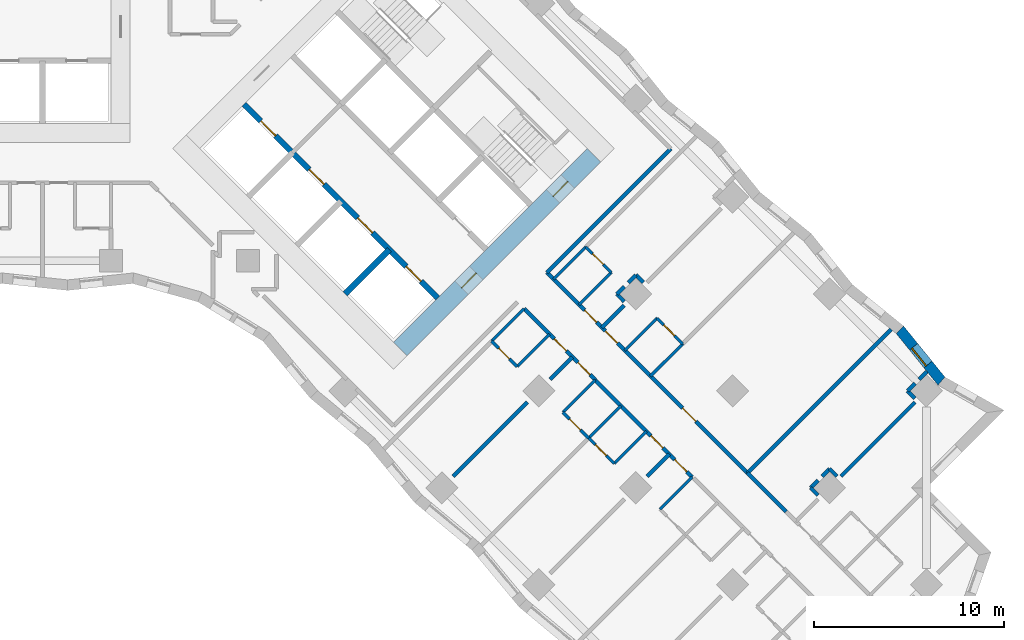
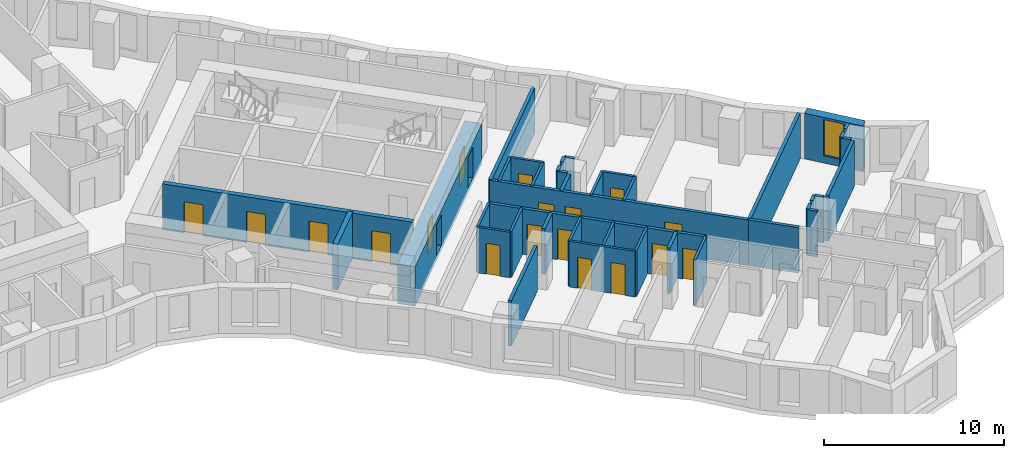
# One storey, part 9 of 13: 41 walls, 18 doors, 1 window, 19 openings.
"""IFC4 building model written with IfcOpenShell, lengths in metres."""

from ifc_helpers import new_model, si_unit, direction, frame, frame_2d, origin, place, context, subcontext, project, spatial, polyline, rectangle, outline, extrude, material, layer, layer_set, type_object, element, fill, save


model = new_model("IFC4")

# Units and contexts
model_context = context("Model", 3, precision=1e-05, world=origin(), true_north=direction((0.0, 1.0)))
body_context = subcontext(model_context, "Body", "Model", "MODEL_VIEW")
ifc_project = project(units=[si_unit("LENGTHUNIT", "METRE"), si_unit("AREAUNIT", "SQUARE_METRE"), si_unit("VOLUMEUNIT", "CUBIC_METRE"), si_unit("PLANEANGLEUNIT", "RADIAN"), si_unit("MASSUNIT", "GRAM", prefix="KILO")], contexts=[model_context])

# Site, building, storey
site_placement = place(None, origin())
site = spatial("IfcSite", under=ifc_project, at=site_placement, CompositionType="ELEMENT")
building_placement = place(site_placement, origin())
building = spatial("IfcBuilding", under=site, at=building_placement, Name="Windrow Commons", CompositionType="ELEMENT")
storey_placement = place(building_placement, frame((0.0, 0.0, 33.8)))
storey = spatial("IfcBuildingStorey", under=building, at=storey_placement, Name="L08", CompositionType="ELEMENT", Elevation=33.8)

# Wall, opening, window
ifc_material_1 = material(Name="Brick masonry, red clay brick", Category="masonry")
ifc_layer_1 = layer(ifc_material_1, 0.55)
ifc_layer_set_1 = layer_set([ifc_layer_1], Name="Brick facade wall 550")
wall_type_1 = type_object("IfcWallType", Name="Brick facade wall 550", PredefinedType="SOLIDWALL", material=ifc_layer_set_1)
wall_1_placement = place(storey_placement, frame((115.6256, 36.8769, 0.0), z_axis=(0.0, 0.0, 1.0), x_axis=(-0.6292379801, 0.7772126893, 0.0)))
wall_1 = element("IfcWall", 1, at=wall_1_placement, inside=storey, type_object=wall_type_1, Name="Brick facade wall L08 8", PredefinedType="SOLIDWALL", context=body_context, shape_type="SweptSolid", body=[
    extrude(outline(polyline([(0.0526, -0.275), (3.5025, -0.275), (3.4446, 0.275), (-0.0526, 0.275), (0.0526, -0.275)])), origin(), (0.0, 0.0, 1.0), 3.1),
])
opening_1_placement = place(wall_1_placement, frame((1.1223, 0.0, 0.5)))
opening_1 = element("IfcOpeningElement", 2, at=opening_1_placement, cuts=wall_1, Name="Opening W7D", PredefinedType="OPENING", context=body_context, shape_type="SweptSolid", body=[
    extrude(rectangle(XDim=1.2, YDim=2.45, at=frame_2d((0.6, 1.225))), frame((0.0, 0.285, 0.0), z_axis=(0.0, -1.0, 0.0), x_axis=(1.0, 0.0, 0.0)), (0.0, 0.0, 1.0), 0.57),
])
ifc_material_2 = material(Name="Clear float glass in anodised aluminium frame", Category="aluminium")
window_type = type_object("IfcWindowType", Name="Window W7 notch 1200x2450", PartitioningType="SINGLE_PANEL", PredefinedType="WINDOW", material=ifc_material_2)
window_placement = place(opening_1_placement, origin())
window = element("IfcWindow", 3, at=window_placement, inside=storey, type_object=window_type, Name="Window L08 8.1", OverallHeight=2.45, OverallWidth=1.2, PartitioningType="SINGLE_PANEL", PredefinedType="WINDOW", context=body_context, shape_type="SweptSolid", body=[
    extrude(rectangle(XDim=1.2, YDim=2.45, at=frame_2d((0.6, 1.225))), frame((0.0, 0.155, 0.0), z_axis=(0.0, -1.0, 0.0), x_axis=(1.0, 0.0, 0.0)), (0.0, 0.0, 1.0), 0.06),
])
fill(opening_1, window)

# Wall, openings, doors
ifc_material_3 = material(Name="Blockwork partition", Category="masonry")
ifc_layer_2 = layer(ifc_material_3, 0.2)
ifc_layer_set_2 = layer_set([ifc_layer_2], Name="IW-CORRIDOR-200")
wall_type_2 = type_object("IfcWallType", Name="IW-CORRIDOR-200", PredefinedType="PARTITIONING", material=ifc_layer_set_2)
wall_2_placement = place(storey_placement, frame((94.8949, 42.5809, 0.0), z_axis=(0.0, 0.0, 1.0), x_axis=(0.7071067812, -0.7071067812, 0.0)))
wall_2 = element("IfcWall", 4, at=wall_2_placement, inside=storey, type_object=wall_type_2, Name="W-L08-W004", PredefinedType="PARTITIONING", context=body_context, shape_type="SweptSolid", body=[
    extrude(rectangle(XDim=14.9002, YDim=0.2, at=frame_2d((7.4501, 0.0))), origin(), (0.0, 0.0, 1.0), 3.1),
])
opening_2_placement = place(wall_2_placement, frame((2.7996, 0.0, 0.0)))
opening_2 = element("IfcOpeningElement", 5, at=opening_2_placement, cuts=wall_2, Name="Opening D109S", PredefinedType="OPENING", context=body_context, shape_type="SweptSolid", body=[
    extrude(rectangle(XDim=0.9, YDim=2.1, at=frame_2d((0.45, 1.05))), frame((0.0, 0.11, 0.0), z_axis=(0.0, -1.0, 0.0), x_axis=(1.0, 0.0, 0.0)), (0.0, 0.0, 1.0), 0.22),
])
opening_3_placement = place(wall_2_placement, frame((4.3479, 0.0, 0.0)))
opening_3 = element("IfcOpeningElement", 6, at=opening_3_placement, cuts=wall_2, Name="Opening D109S", PredefinedType="OPENING", context=body_context, shape_type="SweptSolid", body=[
    extrude(rectangle(XDim=0.9, YDim=2.1, at=frame_2d((0.45, 1.05))), frame((0.0, 0.11, 0.0), z_axis=(0.0, -1.0, 0.0), x_axis=(1.0, 0.0, 0.0)), (0.0, 0.0, 1.0), 0.22),
])
opening_4_placement = place(wall_2_placement, frame((10.0733, 0.0, 0.0)))
opening_4 = element("IfcOpeningElement", 7, at=opening_4_placement, cuts=wall_2, Name="Opening D310F", PredefinedType="OPENING", context=body_context, shape_type="SweptSolid", body=[
    extrude(rectangle(XDim=1.0, YDim=2.1, at=frame_2d((0.5, 1.05))), frame((0.0, 0.11, 0.0), z_axis=(0.0, -1.0, 0.0), x_axis=(1.0, 0.0, 0.0)), (0.0, 0.0, 1.0), 0.22),
])
ifc_material_4 = material(Name="Timber door leaf", Category="wood")
door_type_1 = type_object("IfcDoorType", Name="DT-AMENITY-1000", OperationType="SINGLE_SWING_LEFT", PredefinedType="DOOR", material=ifc_material_4)
door_1_placement = place(opening_4_placement, origin())
door_1 = element("IfcDoor", 8, at=door_1_placement, inside=storey, type_object=door_type_1, Name="D-L08-D054", OperationType="SINGLE_SWING_RIGHT", OverallHeight=2.1, OverallWidth=1.0, PredefinedType="DOOR", context=body_context, shape_type="SweptSolid", body=[
    extrude(rectangle(XDim=1.0, YDim=2.1, at=frame_2d((0.5, 1.05))), frame((0.0, 0.025, 0.0), z_axis=(0.0, -1.0, 0.0), x_axis=(1.0, 0.0, 0.0)), (0.0, 0.0, 1.0), 0.05),
])
fill(opening_4, door_1)
ifc_material_5 = material(Name="Timber door leaf", Category="wood")
door_type_2 = type_object("IfcDoorType", Name="DT-BEDROOM-900", OperationType="SINGLE_SWING_LEFT", PredefinedType="DOOR", material=ifc_material_5)
door_2_placement = place(opening_2_placement, origin())
door_2 = element("IfcDoor", 9, at=door_2_placement, inside=storey, type_object=door_type_2, Name="D-L08-D050", OperationType="SINGLE_SWING_RIGHT", OverallHeight=2.1, OverallWidth=0.9, PredefinedType="DOOR", context=body_context, shape_type="SweptSolid", body=[
    extrude(rectangle(XDim=0.9, YDim=2.1, at=frame_2d((0.45, 1.05))), frame((0.0, 0.025, 0.0), z_axis=(0.0, -1.0, 0.0), x_axis=(1.0, 0.0, 0.0)), (0.0, 0.0, 1.0), 0.05),
])
fill(opening_2, door_2)
door_3_placement = place(opening_3_placement, origin())
door_3 = element("IfcDoor", 10, at=door_3_placement, inside=storey, type_object=door_type_2, Name="D-L08-D052", OperationType="SINGLE_SWING_LEFT", OverallHeight=2.1, OverallWidth=0.9, PredefinedType="DOOR", context=body_context, shape_type="SweptSolid", body=[
    extrude(rectangle(XDim=0.9, YDim=2.1, at=frame_2d((0.45, 1.05))), frame((0.0, 0.025, 0.0), z_axis=(0.0, -1.0, 0.0), x_axis=(1.0, 0.0, 0.0)), (0.0, 0.0, 1.0), 0.05),
])
fill(opening_3, door_3)

# Wall
wall_3_placement = place(storey_placement, frame((94.9014, 42.5826, 0.0), z_axis=(0.0, 0.0, 1.0), x_axis=(0.7072154749, 0.7069980708, 0.0)))
element("IfcWall", 11, at=wall_3_placement, inside=storey, type_object=wall_type_2, Name="W-L08-W010", PredefinedType="PARTITIONING", context=body_context, shape_type="SweptSolid", body=[
    extrude(rectangle(XDim=9.1995, YDim=0.2, at=frame_2d((4.5998, 0.0))), origin(), (0.0, 0.0, 1.0), 3.1),
])

# Wall, openings, doors
wall_4_placement = place(storey_placement, frame((102.5312, 31.8332, 0.0), z_axis=(0.0, 0.0, 1.0), x_axis=(-0.7070095491, 0.7072039999, 0.0)))
wall_4 = element("IfcWall", 12, at=wall_4_placement, inside=storey, type_object=wall_type_2, Name="W-L08-W023", PredefinedType="PARTITIONING", context=body_context, shape_type="SweptSolid", body=[
    extrude(rectangle(XDim=7.1998, YDim=0.2, at=frame_2d((3.5999, 0.0))), origin(), (0.0, 0.0, 1.0), 3.1),
])
opening_5_placement = place(wall_4_placement, frame((2.1649, 0.0, 0.0)))
opening_5 = element("IfcOpeningElement", 13, at=opening_5_placement, cuts=wall_4, Name="Opening D109S", PredefinedType="OPENING", context=body_context, shape_type="SweptSolid", body=[
    extrude(rectangle(XDim=0.9, YDim=2.1, at=frame_2d((0.45, 1.05))), frame((0.0, 0.11, 0.0), z_axis=(0.0, -1.0, 0.0), x_axis=(1.0, 0.0, 0.0)), (0.0, 0.0, 1.0), 0.22),
])
opening_6_placement = place(wall_4_placement, frame((0.3999, 0.0, 0.0)))
opening_6 = element("IfcOpeningElement", 14, at=opening_6_placement, cuts=wall_4, Name="Opening D109S", PredefinedType="OPENING", context=body_context, shape_type="SweptSolid", body=[
    extrude(rectangle(XDim=0.9, YDim=2.1, at=frame_2d((0.45, 1.05))), frame((0.0, 0.11, 0.0), z_axis=(0.0, -1.0, 0.0), x_axis=(1.0, 0.0, 0.0)), (0.0, 0.0, 1.0), 0.22),
])
door_4_placement = place(opening_5_placement, origin())
door_4 = element("IfcDoor", 15, at=door_4_placement, inside=storey, type_object=door_type_2, Name="D-L08-D061", OperationType="SINGLE_SWING_LEFT", OverallHeight=2.1, OverallWidth=0.9, PredefinedType="DOOR", context=body_context, shape_type="SweptSolid", body=[
    extrude(rectangle(XDim=0.9, YDim=2.1, at=frame_2d((0.45, 1.05))), frame((0.0, 0.025, 0.0), z_axis=(0.0, -1.0, 0.0), x_axis=(1.0, 0.0, 0.0)), (0.0, 0.0, 1.0), 0.05),
])
fill(opening_5, door_4)
door_5_placement = place(opening_6_placement, origin())
door_5 = element("IfcDoor", 16, at=door_5_placement, inside=storey, type_object=door_type_2, Name="D-L08-D063", OperationType="SINGLE_SWING_RIGHT", OverallHeight=2.1, OverallWidth=0.9, PredefinedType="DOOR", context=body_context, shape_type="SweptSolid", body=[
    extrude(rectangle(XDim=0.9, YDim=2.1, at=frame_2d((0.45, 1.05))), frame((0.0, 0.025, 0.0), z_axis=(0.0, -1.0, 0.0), x_axis=(1.0, 0.0, 0.0)), (0.0, 0.0, 1.0), 0.05),
])
fill(opening_6, door_5)

wall_5_placement = place(storey_placement, frame((93.6993, 40.6793, 0.0), z_axis=(0.0, 0.0, 1.0), x_axis=(0.7071067812, -0.7071067812, 0.0)))
wall_5 = element("IfcWall", 17, at=wall_5_placement, inside=storey, type_object=wall_type_2, Name="W-L08-W047", PredefinedType="PARTITIONING", context=body_context, shape_type="SweptSolid", body=[
    extrude(rectangle(XDim=5.3005, YDim=0.2, at=frame_2d((2.6503, 0.0))), origin(), (0.0, 0.0, 1.0), 3.1),
])
opening_7_placement = place(wall_5_placement, frame((2.2416, 0.0, 0.0)))
opening_7 = element("IfcOpeningElement", 18, at=opening_7_placement, cuts=wall_5, Name="Opening D109S", PredefinedType="OPENING", context=body_context, shape_type="SweptSolid", body=[
    extrude(rectangle(XDim=0.9, YDim=2.1, at=frame_2d((0.45, 1.05))), frame((0.0, 0.11, 0.0), z_axis=(0.0, -1.0, 0.0), x_axis=(1.0, 0.0, 0.0)), (0.0, 0.0, 1.0), 0.22),
])
opening_8_placement = place(wall_5_placement, frame((4.0017, 0.0, 0.0)))
opening_8 = element("IfcOpeningElement", 19, at=opening_8_placement, cuts=wall_5, Name="Opening D109S", PredefinedType="OPENING", context=body_context, shape_type="SweptSolid", body=[
    extrude(rectangle(XDim=0.9, YDim=2.1, at=frame_2d((0.45, 1.05))), frame((0.0, 0.11, 0.0), z_axis=(0.0, -1.0, 0.0), x_axis=(1.0, 0.0, 0.0)), (0.0, 0.0, 1.0), 0.22),
])
door_6_placement = place(opening_7_placement, origin())
door_6 = element("IfcDoor", 20, at=door_6_placement, inside=storey, type_object=door_type_2, Name="D-L08-D057", OperationType="SINGLE_SWING_LEFT", OverallHeight=2.1, OverallWidth=0.9, PredefinedType="DOOR", context=body_context, shape_type="SweptSolid", body=[
    extrude(rectangle(XDim=0.9, YDim=2.1, at=frame_2d((0.45, 1.05))), frame((0.0, 0.025, 0.0), z_axis=(0.0, -1.0, 0.0), x_axis=(1.0, 0.0, 0.0)), (0.0, 0.0, 1.0), 0.05),
])
fill(opening_7, door_6)
door_7_placement = place(opening_8_placement, origin())
door_7 = element("IfcDoor", 21, at=door_7_placement, inside=storey, type_object=door_type_2, Name="D-L08-D059", OperationType="SINGLE_SWING_RIGHT", OverallHeight=2.1, OverallWidth=0.9, PredefinedType="DOOR", context=body_context, shape_type="SweptSolid", body=[
    extrude(rectangle(XDim=0.9, YDim=2.1, at=frame_2d((0.45, 1.05))), frame((0.0, 0.025, 0.0), z_axis=(0.0, -1.0, 0.0), x_axis=(1.0, 0.0, 0.0)), (0.0, 0.0, 1.0), 0.05),
])
fill(opening_8, door_7)

# Walls
wall_6_placement = place(storey_placement, frame((105.4348, 32.0488, 0.0), z_axis=(0.0, 0.0, 1.0), x_axis=(0.7074545101, -0.7067588812, 0.0)))
element("IfcWall", 22, at=wall_6_placement, inside=storey, type_object=wall_type_2, Name="W-L08-W071", PredefinedType="PARTITIONING", context=body_context, shape_type="SweptSolid", body=[
    extrude(rectangle(XDim=2.8751, YDim=0.2, at=frame_2d((1.4376, 0.0))), origin(), (0.0, 0.0, 1.0), 3.1),
])
ifc_material_6 = material(Name="Blockwork partition", Category="masonry")
ifc_layer_3 = layer(ifc_material_6, 0.15)
ifc_layer_set_3 = layer_set([ifc_layer_3], Name="IW-ENSUITE-150")
wall_type_3 = type_object("IfcWallType", Name="IW-ENSUITE-150", PredefinedType="PARTITIONING", material=ifc_layer_set_3)
for number, where, z_axis, x_axis, name in (
    (23, (93.3409, 37.6351, 0.0), (0.0, 0.0, 1.0), (0.7071067812, 0.7071067812, 0.0), "W-L08-W078"),
    (24, (95.7451, 35.2309, 0.0), (0.0, 0.0, 1.0), (0.7071067812, 0.7071067812, 0.0), "W-L08-W079"),
    (25, (91.9974, 38.9786, 0.0), (0.0, 0.0, 1.0), (0.7071067812, 0.7071067812, 0.0), "W-L08-W082"),
):
    element("IfcWall", number, at=place(storey_placement, frame(where, z_axis=z_axis, x_axis=x_axis)), inside=storey, type_object=wall_type_3, Name=name, PredefinedType="PARTITIONING", context=body_context, shape_type="SweptSolid", body=[
        extrude(rectangle(XDim=2.4013, YDim=0.15, at=frame_2d((1.2006, 0.0))), origin(), (0.0, 0.0, 1.0), 3.1),
    ])
for number, where, z_axis, x_axis, name in (
    (26, (100.3397, 37.1423, 0.0), (0.0, 0.0, 1.0), (0.7075233388, 0.706689978, 0.0), "W-L08-W115"),
    (27, (96.592, 40.89, 0.0), (0.0, 0.0, 1.0), (0.7075233388, 0.706689978, 0.0), "W-L08-W116"),
    (28, (98.9962, 38.4858, 0.0), (0.0, 0.0, 1.0), (0.7075233388, 0.706689978, 0.0), "W-L08-W117"),
    (29, (95.2524, 42.2296, 0.0), (0.0, 0.0, 1.0), (0.706689978, 0.7075233388, 0.0), "W-L08-W120"),
    (30, (97.0924, 33.8836, 0.0), (0.0, 0.0, 1.0), (0.706689978, 0.7075233388, 0.0), "W-L08-W121"),
):
    element("IfcWall", number, at=place(storey_placement, frame(where, z_axis=z_axis, x_axis=x_axis)), inside=storey, type_object=wall_type_3, Name=name, PredefinedType="PARTITIONING", context=body_context, shape_type="SweptSolid", body=[
        extrude(rectangle(XDim=2.3999, YDim=0.15, at=frame_2d((1.2, 0.0))), origin(), (0.0, 0.0, 1.0), 3.1),
    ])
for number, where, z_axis, x_axis, name in (
    (31, (100.8373, 30.1407, 0.0), (0.0, 0.0, 1.0), (0.7071067812, 0.7071067812, 0.0), "W-L08-W123"),
    (32, (98.4331, 32.5449, 0.0), (0.0, 0.0, 1.0), (0.7071067812, 0.7071067812, 0.0), "W-L08-W125"),
):
    element("IfcWall", number, at=place(storey_placement, frame(where, z_axis=z_axis, x_axis=x_axis)), inside=storey, type_object=wall_type_3, Name=name, PredefinedType="PARTITIONING", context=body_context, shape_type="SweptSolid", body=[
        extrude(rectangle(XDim=2.3985, YDim=0.15, at=frame_2d((1.1992, 0.0))), origin(), (0.0, 0.0, 1.0), 3.1),
    ])

# Wall, opening, door
wall_7_placement = place(storey_placement, frame((96.9449, 43.9249, 0.0), z_axis=(0.0, 0.0, 1.0), x_axis=(0.7071067812, -0.7071067812, 0.0)))
wall_7 = element("IfcWall", 33, at=wall_7_placement, inside=storey, type_object=wall_type_3, Name="W-L08-W134", PredefinedType="PARTITIONING", context=body_context, shape_type="SweptSolid", body=[
    extrude(rectangle(XDim=1.9007, YDim=0.15, at=frame_2d((0.9504, 0.0))), origin(), (0.0, 0.0, 1.0), 3.1),
])
opening_9_placement = place(wall_7_placement, frame((0.5053, 0.0, 0.0)))
opening_9 = element("IfcOpeningElement", 34, at=opening_9_placement, cuts=wall_7, Name="Opening D208N", PredefinedType="OPENING", context=body_context, shape_type="SweptSolid", body=[
    extrude(rectangle(XDim=0.8, YDim=2.1, at=frame_2d((0.4, 1.05))), frame((0.0, 0.085, 0.0), z_axis=(0.0, -1.0, 0.0), x_axis=(1.0, 0.0, 0.0)), (0.0, 0.0, 1.0), 0.17),
])
ifc_material_7 = material(Name="Timber door leaf", Category="wood")
door_type_3 = type_object("IfcDoorType", Name="DT-ENSUITE-800", OperationType="SINGLE_SWING_LEFT", PredefinedType="DOOR", material=ifc_material_7)
door_8_placement = place(opening_9_placement, origin())
door_8 = element("IfcDoor", 35, at=door_8_placement, inside=storey, type_object=door_type_3, Name="D-L08-D051", OperationType="SINGLE_SWING_RIGHT", OverallHeight=2.1, OverallWidth=0.8, PredefinedType="DOOR", context=body_context, shape_type="SweptSolid", body=[
    extrude(rectangle(XDim=0.8, YDim=2.1, at=frame_2d((0.4, 1.05))), frame((0.0, 0.025, 0.0), z_axis=(0.0, -1.0, 0.0), x_axis=(1.0, 0.0, 0.0)), (0.0, 0.0, 1.0), 0.05),
])
fill(opening_9, door_8)

wall_8_placement = place(storey_placement, frame((100.6929, 40.1769, 0.0), z_axis=(0.0, 0.0, 1.0), x_axis=(0.7071067812, -0.7071067812, 0.0)))
wall_8 = element("IfcWall", 36, at=wall_8_placement, inside=storey, type_object=wall_type_3, Name="W-L08-W135", PredefinedType="PARTITIONING", context=body_context, shape_type="SweptSolid", body=[
    extrude(rectangle(XDim=1.9007, YDim=0.15, at=frame_2d((0.9504, 0.0))), origin(), (0.0, 0.0, 1.0), 3.1),
])
opening_10_placement = place(wall_8_placement, frame((0.493, 0.0, 0.0)))
opening_10 = element("IfcOpeningElement", 37, at=opening_10_placement, cuts=wall_8, Name="Opening D208N", PredefinedType="OPENING", context=body_context, shape_type="SweptSolid", body=[
    extrude(rectangle(XDim=0.8, YDim=2.1, at=frame_2d((0.4, 1.05))), frame((0.0, 0.085, 0.0), z_axis=(0.0, -1.0, 0.0), x_axis=(1.0, 0.0, 0.0)), (0.0, 0.0, 1.0), 0.17),
])
door_9_placement = place(opening_10_placement, origin())
door_9 = element("IfcDoor", 38, at=door_9_placement, inside=storey, type_object=door_type_3, Name="D-L08-D053", OperationType="SINGLE_SWING_RIGHT", OverallHeight=2.1, OverallWidth=0.8, PredefinedType="DOOR", context=body_context, shape_type="SweptSolid", body=[
    extrude(rectangle(XDim=0.8, YDim=2.1, at=frame_2d((0.4, 1.05))), frame((0.0, 0.025, 0.0), z_axis=(0.0, -1.0, 0.0), x_axis=(1.0, 0.0, 0.0)), (0.0, 0.0, 1.0), 0.05),
])
fill(opening_10, door_9)

wall_9_placement = place(storey_placement, frame((95.7432, 35.2272, 0.0), z_axis=(0.0, 0.0, 1.0), x_axis=(0.7071067812, -0.7071067812, 0.0)))
wall_9 = element("IfcWall", 39, at=wall_9_placement, inside=storey, type_object=wall_type_3, Name="W-L08-W137", PredefinedType="PARTITIONING", context=body_context, shape_type="SweptSolid", body=[
    extrude(rectangle(XDim=1.9007, YDim=0.15, at=frame_2d((0.9504, 0.0))), origin(), (0.0, 0.0, 1.0), 3.1),
])
opening_11_placement = place(wall_9_placement, frame((0.4911, 0.0, 0.0)))
opening_11 = element("IfcOpeningElement", 40, at=opening_11_placement, cuts=wall_9, Name="Opening D208N", PredefinedType="OPENING", context=body_context, shape_type="SweptSolid", body=[
    extrude(rectangle(XDim=0.8, YDim=2.1, at=frame_2d((0.4, 1.05))), frame((0.0, 0.085, 0.0), z_axis=(0.0, -1.0, 0.0), x_axis=(1.0, 0.0, 0.0)), (0.0, 0.0, 1.0), 0.17),
])
door_10_placement = place(opening_11_placement, origin())
door_10 = element("IfcDoor", 41, at=door_10_placement, inside=storey, type_object=door_type_3, Name="D-L08-D060", OperationType="SINGLE_SWING_RIGHT", OverallHeight=2.1, OverallWidth=0.8, PredefinedType="DOOR", context=body_context, shape_type="SweptSolid", body=[
    extrude(rectangle(XDim=0.8, YDim=2.1, at=frame_2d((0.4, 1.05))), frame((0.0, 0.025, 0.0), z_axis=(0.0, -1.0, 0.0), x_axis=(1.0, 0.0, 0.0)), (0.0, 0.0, 1.0), 0.05),
])
fill(opening_11, door_10)

wall_10_placement = place(storey_placement, frame((91.9952, 38.9752, 0.0), z_axis=(0.0, 0.0, 1.0), x_axis=(0.7071067812, -0.7071067812, 0.0)))
wall_10 = element("IfcWall", 42, at=wall_10_placement, inside=storey, type_object=wall_type_3, Name="W-L08-W138", PredefinedType="PARTITIONING", context=body_context, shape_type="SweptSolid", body=[
    extrude(rectangle(XDim=1.9007, YDim=0.15, at=frame_2d((0.9504, 0.0))), origin(), (0.0, 0.0, 1.0), 3.1),
])
opening_12_placement = place(wall_10_placement, frame((0.5226, 0.0, 0.0)))
opening_12 = element("IfcOpeningElement", 43, at=opening_12_placement, cuts=wall_10, Name="Opening D208N", PredefinedType="OPENING", context=body_context, shape_type="SweptSolid", body=[
    extrude(rectangle(XDim=0.8, YDim=2.1, at=frame_2d((0.4, 1.05))), frame((0.0, 0.085, 0.0), z_axis=(0.0, -1.0, 0.0), x_axis=(1.0, 0.0, 0.0)), (0.0, 0.0, 1.0), 0.17),
])
door_11_placement = place(opening_12_placement, origin())
door_11 = element("IfcDoor", 44, at=door_11_placement, inside=storey, type_object=door_type_3, Name="D-L08-D058", OperationType="SINGLE_SWING_RIGHT", OverallHeight=2.1, OverallWidth=0.8, PredefinedType="DOOR", context=body_context, shape_type="SweptSolid", body=[
    extrude(rectangle(XDim=0.8, YDim=2.1, at=frame_2d((0.4, 1.05))), frame((0.0, 0.025, 0.0), z_axis=(0.0, -1.0, 0.0), x_axis=(1.0, 0.0, 0.0)), (0.0, 0.0, 1.0), 0.05),
])
fill(opening_12, door_11)

wall_11_placement = place(storey_placement, frame((97.0895, 33.8855, 0.0), z_axis=(0.0, 0.0, 1.0), x_axis=(0.7076330979, -0.7065800724, 0.0)))
wall_11 = element("IfcWall", 45, at=wall_11_placement, inside=storey, type_object=wall_type_3, Name="W-L08-W156", PredefinedType="PARTITIONING", context=body_context, shape_type="SweptSolid", body=[
    extrude(rectangle(XDim=1.8993, YDim=0.15, at=frame_2d((0.9496, 0.0))), origin(), (0.0, 0.0, 1.0), 3.1),
])
opening_13_placement = place(wall_11_placement, frame((0.5045, 0.0, 0.0)))
opening_13 = element("IfcOpeningElement", 46, at=opening_13_placement, cuts=wall_11, Name="Opening D208N", PredefinedType="OPENING", context=body_context, shape_type="SweptSolid", body=[
    extrude(rectangle(XDim=0.8, YDim=2.1, at=frame_2d((0.4, 1.05))), frame((0.0, 0.085, 0.0), z_axis=(0.0, -1.0, 0.0), x_axis=(1.0, 0.0, 0.0)), (0.0, 0.0, 1.0), 0.17),
])
door_12_placement = place(opening_13_placement, origin())
door_12 = element("IfcDoor", 47, at=door_12_placement, inside=storey, type_object=door_type_3, Name="D-L08-D062", OperationType="SINGLE_SWING_RIGHT", OverallHeight=2.1, OverallWidth=0.8, PredefinedType="DOOR", context=body_context, shape_type="SweptSolid", body=[
    extrude(rectangle(XDim=0.8, YDim=2.1, at=frame_2d((0.4, 1.05))), frame((0.0, 0.025, 0.0), z_axis=(0.0, -1.0, 0.0), x_axis=(1.0, 0.0, 0.0)), (0.0, 0.0, 1.0), 0.05),
])
fill(opening_13, door_12)

# Walls
ifc_material_8 = material(Name="Blockwork partition", Category="masonry")
ifc_layer_4 = layer(ifc_material_8, 0.2)
ifc_layer_set_4 = layer_set([ifc_layer_4], Name="IW-PARTY-200")
wall_type_4 = type_object("IfcWallType", Name="IW-PARTY-200", PredefinedType="PARTITIONING", material=ifc_layer_set_4)
wall_12_placement = place(storey_placement, frame((105.4374, 32.0446, 0.0), z_axis=(0.0, 0.0, 1.0), x_axis=(0.70701308, 0.70720047, 0.0)))
element("IfcWall", 48, at=wall_12_placement, inside=storey, type_object=wall_type_4, Name="W-L08-W007", PredefinedType="PARTITIONING", context=body_context, shape_type="SweptSolid", body=[
    extrude(rectangle(XDim=10.6729, YDim=0.2, at=frame_2d((5.3365, 0.0))), origin(), (0.0, 0.0, 1.0), 3.1),
])
for number, where, z_axis, x_axis, name in (
    (49, (89.981, 31.871, 0.0), (0.0, 0.0, 1.0), (0.7071067812, 0.7071067812, 0.0), "W-L08-W042"),
    (50, (110.3454, 31.8706, 0.0), (0.0, 0.0, 1.0), (0.7071067812, 0.7071067812, 0.0), "W-L08-W043"),
):
    element("IfcWall", number, at=place(storey_placement, frame(where, z_axis=z_axis, x_axis=x_axis)), inside=storey, type_object=wall_type_4, Name=name, PredefinedType="PARTITIONING", context=body_context, shape_type="SweptSolid", body=[
        extrude(rectangle(XDim=5.5041, YDim=0.2, at=frame_2d((2.7521, 0.0))), origin(), (0.0, 0.0, 1.0), 3.1),
    ])
for number, where, z_axis, x_axis, name in (
    (51, (100.1632, 31.8708, 0.0), (0.0, 0.0, 1.0), (0.7071067812, 0.7071067812, 0.0), "W-L08-W167"),
    (52, (97.796, 39.686, 0.0), (0.0, 0.0, 1.0), (0.7071067812, 0.7071067812, 0.0), "W-L08-W170"),
    (53, (95.073, 36.963, 0.0), (0.0, 0.0, 1.0), (0.7071067812, 0.7071067812, 0.0), "W-L08-W171"),
):
    element("IfcWall", number, at=place(storey_placement, frame(where, z_axis=z_axis, x_axis=x_axis)), inside=storey, type_object=wall_type_4, Name=name, PredefinedType="PARTITIONING", context=body_context, shape_type="SweptSolid", body=[
        extrude(rectangle(XDim=1.6518, YDim=0.2, at=frame_2d((0.8259, 0.0))), origin(), (0.0, 0.0, 1.0), 3.1),
    ])
for number, where, z_axis, x_axis, name in (
    (54, (113.8434, 36.3586, 0.0), (0.0, 0.0, 1.0), (0.7071067812, 0.7071067812, 0.0), "W-L08-W196"),
    (55, (108.7536, 31.2676, 0.0), (0.0, 0.0, 1.0), (0.7071067812, -0.7071067812, 0.0), "W-L08-W197"),
    (56, (109.7507, 32.2647, 0.0), (0.0, 0.0, 1.0), (0.7071067812, -0.7071067812, 0.0), "W-L08-W198"),
    (57, (109.3554, 31.8706, 0.0), (0.0, 0.0, 1.0), (0.7071067812, 0.7071067812, 0.0), "W-L08-W199"),
    (58, (108.7534, 31.2686, 0.0), (0.0, 0.0, 1.0), (0.7071067812, 0.7071067812, 0.0), "W-L08-W200"),
):
    element("IfcWall", number, at=place(storey_placement, frame(where, z_axis=z_axis, x_axis=x_axis)), inside=storey, type_object=wall_type_4, Name=name, PredefinedType="PARTITIONING", context=body_context, shape_type="SweptSolid", body=[
        extrude(rectangle(XDim=0.5572, YDim=0.2, at=frame_2d((0.2786, 0.0))), origin(), (0.0, 0.0, 1.0), 3.1),
    ])
for number, where, z_axis, x_axis, name in (
    (59, (98.5699, 41.4479, 0.0), (0.0, 0.0, 1.0), (0.705305244, -0.7089037401, 0.0), "W-L08-W202"),
    (60, (99.5708, 42.4489, 0.0), (0.0, 0.0, 1.0), (0.7089037401, -0.705305244, 0.0), "W-L08-W203"),
    (61, (113.8446, 36.3586, 0.0), (0.0, 0.0, 1.0), (0.7089037401, -0.705305244, 0.0), "W-L08-W205"),
):
    element("IfcWall", number, at=place(storey_placement, frame(where, z_axis=z_axis, x_axis=x_axis)), inside=storey, type_object=wall_type_4, Name=name, PredefinedType="PARTITIONING", context=body_context, shape_type="SweptSolid", body=[
        extrude(rectangle(XDim=0.5558, YDim=0.2, at=frame_2d((0.2779, 0.0))), origin(), (0.0, 0.0, 1.0), 3.1),
    ])
for number, where, z_axis, x_axis, name in (
    (62, (98.571, 41.451, 0.0), (0.0, 0.0, 1.0), (0.7071067812, 0.7071067812, 0.0), "W-L08-W206"),
    (63, (99.175, 42.055, 0.0), (0.0, 0.0, 1.0), (0.7071067812, 0.7071067812, 0.0), "W-L08-W207"),
):
    element("IfcWall", number, at=place(storey_placement, frame(where, z_axis=z_axis, x_axis=x_axis)), inside=storey, type_object=wall_type_4, Name=name, PredefinedType="PARTITIONING", context=body_context, shape_type="SweptSolid", body=[
        extrude(rectangle(XDim=0.5544, YDim=0.2, at=frame_2d((0.2772, 0.0))), origin(), (0.0, 0.0, 1.0), 3.1),
    ])
wall_13_placement = place(storey_placement, frame((114.4474, 36.9626, 0.0), z_axis=(0.0, 0.0, 1.0), x_axis=(0.7070220419, 0.7071915103, 0.0)))
element("IfcWall", 64, at=wall_13_placement, inside=storey, type_object=wall_type_4, Name="W-L08-W208", PredefinedType="PARTITIONING", context=body_context, shape_type="SweptSolid", body=[
    extrude(rectangle(XDim=0.5901, YDim=0.2, at=frame_2d((0.295, 0.0))), origin(), (0.0, 0.0, 1.0), 3.1),
])

# Wall, openings, doors
ifc_material_9 = material(Name="Concrete C60/75", Category="concrete")
ifc_layer_5 = layer(ifc_material_9, 1.0)
ifc_layer_set_5 = layer_set([ifc_layer_5], Name="RC CORE WALL 1000 C60/75")
wall_type_5 = type_object("IfcWallType", Name="RC CORE WALL 1000 C60/75", PredefinedType="SHEAR", material=ifc_layer_set_5)
wall_14_placement = place(storey_placement, frame((87.1903, 38.5538, -0.3), z_axis=(0.0, 0.0, 1.0), x_axis=(0.707103309, 0.7071102534, 0.0)))
wall_14 = element("IfcWall", 65, at=wall_14_placement, inside=storey, type_object=wall_type_5, Name="Core B wall outer-E", PredefinedType="SHEAR", context=body_context, shape_type="SweptSolid", body=[
    extrude(rectangle(XDim=14.4, YDim=1.0, at=frame_2d((7.2, 0.0))), origin(), (0.0, 0.0, 1.0), 2.7),
])
opening_14_placement = place(wall_14_placement, frame((4.55, 0.0, 0.3)))
opening_14 = element("IfcOpeningElement", 66, at=opening_14_placement, cuts=wall_14, Name="Opening D6", PredefinedType="OPENING", context=body_context, shape_type="SweptSolid", body=[
    extrude(rectangle(XDim=1.1, YDim=2.1, at=frame_2d((0.55, 1.05))), frame((0.0, 0.51, 0.0), z_axis=(0.0, -1.0, 0.0), x_axis=(1.0, 0.0, 0.0)), (0.0, 0.0, 1.0), 1.02),
])
opening_15_placement = place(wall_14_placement, frame((11.35, 0.0, 0.3)))
opening_15 = element("IfcOpeningElement", 67, at=opening_15_placement, cuts=wall_14, Name="Opening D7", PredefinedType="OPENING", context=body_context, shape_type="SweptSolid", body=[
    extrude(rectangle(XDim=1.1, YDim=2.1, at=frame_2d((0.55, 1.05))), frame((0.0, 0.51, 0.0), z_axis=(0.0, -1.0, 0.0), x_axis=(1.0, 0.0, 0.0)), (0.0, 0.0, 1.0), 1.02),
])
ifc_material_10 = material(Name="Steel fire door leaf", Category="steel")
door_type_4 = type_object("IfcDoorType", Name="Core lobby door 1100", OperationType="SINGLE_SWING_LEFT", PredefinedType="DOOR", material=ifc_material_10)
door_13_placement = place(opening_14_placement, origin())
door_13 = element("IfcDoor", 68, at=door_13_placement, inside=storey, type_object=door_type_4, Name="Lift lobby door", OperationType="DOUBLE_DOOR_SINGLE_SWING", OverallHeight=2.1, OverallWidth=1.1, PredefinedType="DOOR", context=body_context, shape_type="SweptSolid", body=[
    extrude(rectangle(XDim=1.1, YDim=2.1, at=frame_2d((0.55, 1.05))), frame((0.0, 0.025, 0.0), z_axis=(0.0, -1.0, 0.0), x_axis=(1.0, 0.0, 0.0)), (0.0, 0.0, 1.0), 0.05),
])
fill(opening_14, door_13)
ifc_material_11 = material(Name="Steel fire door leaf", Category="steel")
door_type_5 = type_object("IfcDoorType", Name="Stair door 1100", OperationType="SINGLE_SWING_LEFT", PredefinedType="DOOR", material=ifc_material_11)
door_14_placement = place(opening_15_placement, origin())
door_14 = element("IfcDoor", 69, at=door_14_placement, inside=storey, type_object=door_type_5, Name="Stair door", OperationType="SINGLE_SWING_RIGHT", OverallHeight=2.1, OverallWidth=1.1, PredefinedType="DOOR", context=body_context, shape_type="SweptSolid", body=[
    extrude(rectangle(XDim=1.1, YDim=2.1, at=frame_2d((0.55, 1.05))), frame((0.0, 0.025, 0.0), z_axis=(0.0, -1.0, 0.0), x_axis=(1.0, 0.0, 0.0)), (0.0, 0.0, 1.0), 0.05),
])
fill(opening_15, door_14)

# Wall
ifc_material_12 = material(Name="Concrete C60/75", Category="concrete")
ifc_layer_6 = layer(ifc_material_12, 0.3)
ifc_layer_set_6 = layer_set([ifc_layer_6], Name="RC SHAFT WALL 300 C60/75")
wall_type_6 = type_object("IfcWallType", Name="RC SHAFT WALL 300 C60/75", PredefinedType="SOLIDWALL", material=ifc_layer_set_6)
wall_15_placement = place(storey_placement, frame((84.2912, 41.453, 0.0), z_axis=(0.0, 0.0, 1.0), x_axis=(0.7071067812, 0.7071067812, 0.0)))
element("IfcWall", 70, at=wall_15_placement, inside=storey, type_object=wall_type_6, Name="Core B wall shaft-S3", PredefinedType="SOLIDWALL", context=body_context, shape_type="SweptSolid", body=[
    extrude(rectangle(XDim=3.2999, YDim=0.3, at=frame_2d((1.65, 0.0))), origin(), (0.0, 0.0, 1.0), 3.1),
])

# Wall, openings, doors
wall_16_placement = place(storey_placement, frame((78.9879, 51.4232, 0.0), z_axis=(0.0, 0.0, 1.0), x_axis=(0.7071067812, -0.7071067812, 0.0)))
wall_16 = element("IfcWall", 71, at=wall_16_placement, inside=storey, type_object=wall_type_6, Name="Core B wall lobby-S", PredefinedType="SOLIDWALL", context=body_context, shape_type="SweptSolid", body=[
    extrude(rectangle(XDim=14.3999, YDim=0.3, at=frame_2d((7.2, 0.0))), origin(), (0.0, 0.0, 1.0), 3.1),
])
opening_16_placement = place(wall_16_placement, frame((1.25, 0.0, 0.0)))
opening_16 = element("IfcOpeningElement", 72, at=opening_16_placement, cuts=wall_16, Name="Opening LD", PredefinedType="OPENING", context=body_context, shape_type="SweptSolid", body=[
    extrude(rectangle(XDim=1.1, YDim=2.1, at=frame_2d((0.55, 1.05))), frame((0.0, 0.16, 0.0), z_axis=(0.0, -1.0, 0.0), x_axis=(1.0, 0.0, 0.0)), (0.0, 0.0, 1.0), 0.32),
])
opening_17_placement = place(wall_16_placement, frame((4.85, 0.0, 0.0)))
opening_17 = element("IfcOpeningElement", 73, at=opening_17_placement, cuts=wall_16, Name="Opening LD", PredefinedType="OPENING", context=body_context, shape_type="SweptSolid", body=[
    extrude(rectangle(XDim=1.1, YDim=2.1, at=frame_2d((0.55, 1.05))), frame((0.0, 0.16, 0.0), z_axis=(0.0, -1.0, 0.0), x_axis=(1.0, 0.0, 0.0)), (0.0, 0.0, 1.0), 0.32),
])
opening_18_placement = place(wall_16_placement, frame((8.45, 0.0, 0.0)))
opening_18 = element("IfcOpeningElement", 74, at=opening_18_placement, cuts=wall_16, Name="Opening LD", PredefinedType="OPENING", context=body_context, shape_type="SweptSolid", body=[
    extrude(rectangle(XDim=1.1, YDim=2.1, at=frame_2d((0.55, 1.05))), frame((0.0, 0.16, 0.0), z_axis=(0.0, -1.0, 0.0), x_axis=(1.0, 0.0, 0.0)), (0.0, 0.0, 1.0), 0.32),
])
opening_19_placement = place(wall_16_placement, frame((12.05, 0.0, 0.0)))
opening_19 = element("IfcOpeningElement", 75, at=opening_19_placement, cuts=wall_16, Name="Opening LD", PredefinedType="OPENING", context=body_context, shape_type="SweptSolid", body=[
    extrude(rectangle(XDim=1.1, YDim=2.1, at=frame_2d((0.55, 1.05))), frame((0.0, 0.16, 0.0), z_axis=(0.0, -1.0, 0.0), x_axis=(1.0, 0.0, 0.0)), (0.0, 0.0, 1.0), 0.32),
])
ifc_material_13 = material(Name="Stainless steel door leaf", Category="steel")
door_type_6 = type_object("IfcDoorType", Name="Lift landing door 1100", OperationType="SLIDING_TO_LEFT", PredefinedType="DOOR", material=ifc_material_13)
door_15_placement = place(opening_16_placement, origin())
door_15 = element("IfcDoor", 76, at=door_15_placement, inside=storey, type_object=door_type_6, Name="Lift landing door", OperationType="SLIDING_TO_LEFT", OverallHeight=2.1, OverallWidth=1.1, PredefinedType="DOOR", context=body_context, shape_type="SweptSolid", body=[
    extrude(rectangle(XDim=1.1, YDim=2.1, at=frame_2d((0.55, 1.05))), frame((0.0, 0.025, 0.0), z_axis=(0.0, -1.0, 0.0), x_axis=(1.0, 0.0, 0.0)), (0.0, 0.0, 1.0), 0.05),
])
fill(opening_16, door_15)
door_16_placement = place(opening_17_placement, origin())
door_16 = element("IfcDoor", 77, at=door_16_placement, inside=storey, type_object=door_type_6, Name="Lift landing door", OperationType="SLIDING_TO_RIGHT", OverallHeight=2.1, OverallWidth=1.1, PredefinedType="DOOR", context=body_context, shape_type="SweptSolid", body=[
    extrude(rectangle(XDim=1.1, YDim=2.1, at=frame_2d((0.55, 1.05))), frame((0.0, 0.025, 0.0), z_axis=(0.0, -1.0, 0.0), x_axis=(1.0, 0.0, 0.0)), (0.0, 0.0, 1.0), 0.05),
])
fill(opening_17, door_16)
door_17_placement = place(opening_18_placement, origin())
door_17 = element("IfcDoor", 78, at=door_17_placement, inside=storey, type_object=door_type_6, Name="Lift landing door", OperationType="SLIDING_TO_LEFT", OverallHeight=2.1, OverallWidth=1.1, PredefinedType="DOOR", context=body_context, shape_type="SweptSolid", body=[
    extrude(rectangle(XDim=1.1, YDim=2.1, at=frame_2d((0.55, 1.05))), frame((0.0, 0.025, 0.0), z_axis=(0.0, -1.0, 0.0), x_axis=(1.0, 0.0, 0.0)), (0.0, 0.0, 1.0), 0.05),
])
fill(opening_18, door_17)
door_18_placement = place(opening_19_placement, origin())
door_18 = element("IfcDoor", 79, at=door_18_placement, inside=storey, type_object=door_type_6, Name="Lift landing door", OperationType="SLIDING_TO_RIGHT", OverallHeight=2.1, OverallWidth=1.1, PredefinedType="DOOR", context=body_context, shape_type="SweptSolid", body=[
    extrude(rectangle(XDim=1.1, YDim=2.1, at=frame_2d((0.55, 1.05))), frame((0.0, 0.025, 0.0), z_axis=(0.0, -1.0, 0.0), x_axis=(1.0, 0.0, 0.0)), (0.0, 0.0, 1.0), 0.05),
])
fill(opening_19, door_18)

save(model, "model.ifc")
